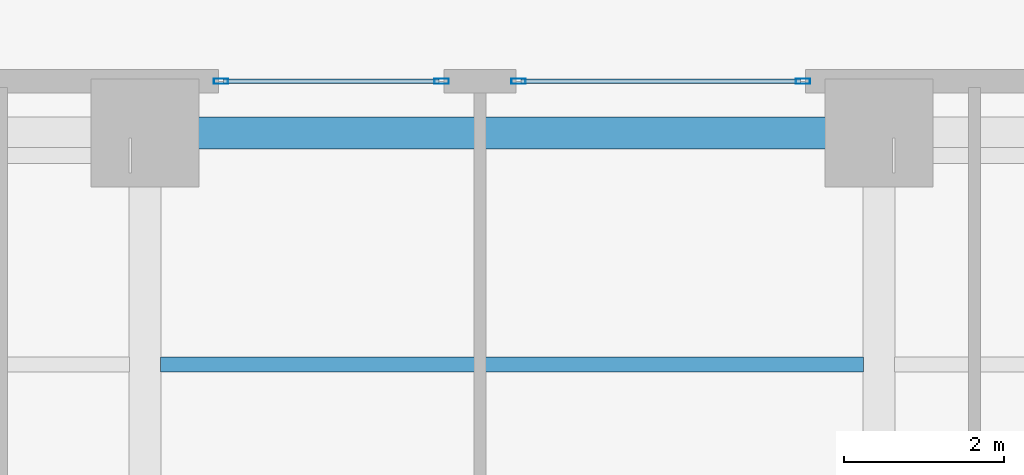
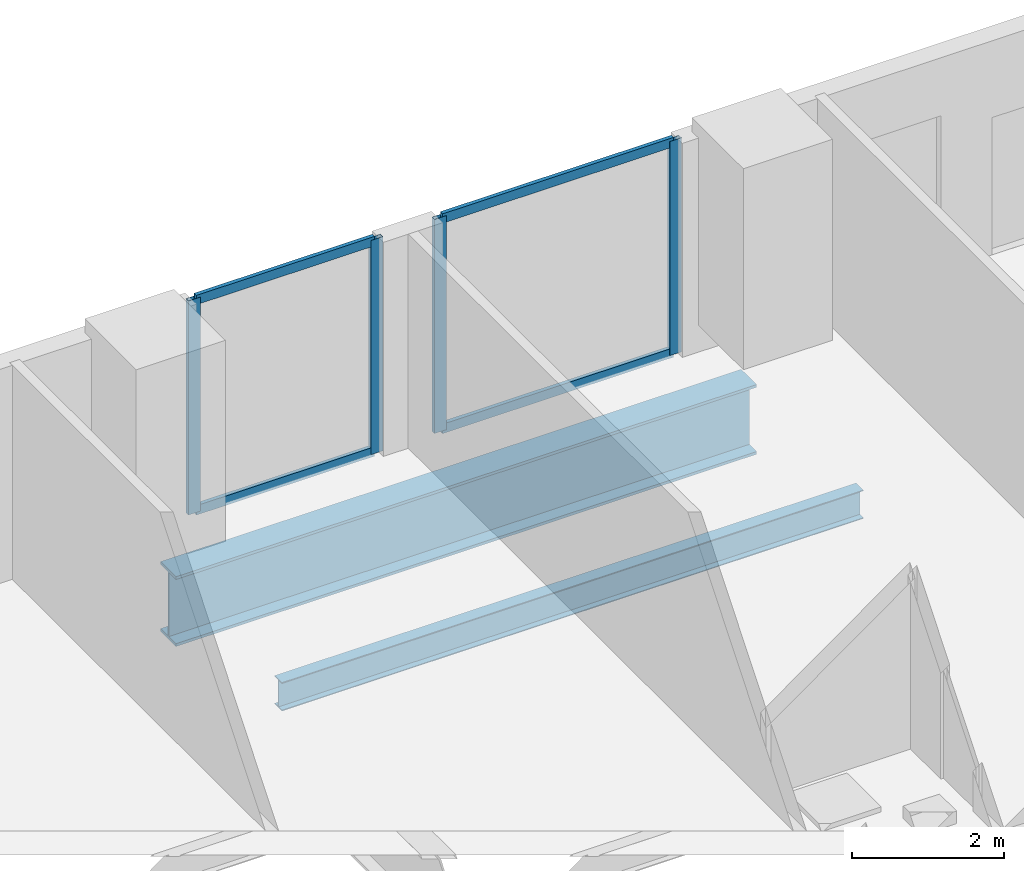
# One storey, part 16 of 29: 8 members, 2 beams, 2 elements without a shape of their own.
"""IFC4 building model written with IfcOpenShell, lengths in metres."""

from ifc_helpers import new_model, si_unit, direction, frame, origin, origin_2d, place, context, subcontext, project, spatial, hollow_rectangle, i_section, extrude, material, layer, layer_set, material_profile, profile_set, type_object, element, aggregate, save


model = new_model("IFC4")

# Units and contexts
model_context = context("Model", 3, precision=1e-05, world=origin(), true_north=direction((0.0, 1.0)))
body_context = subcontext(model_context, "Body", "Model", "MODEL_VIEW")
ifc_project = project(units=[si_unit("LENGTHUNIT", "METRE"), si_unit("AREAUNIT", "SQUARE_METRE"), si_unit("VOLUMEUNIT", "CUBIC_METRE"), si_unit("PLANEANGLEUNIT", "RADIAN"), si_unit("MASSUNIT", "GRAM", prefix="KILO")], contexts=[model_context])

# Site, building, storey
site_placement = place(None, origin())
site = spatial("IfcSite", under=ifc_project, at=site_placement, CompositionType="ELEMENT")
building_placement = place(site_placement, origin())
building = spatial("IfcBuilding", under=site, at=building_placement, Name="Zuhayl Quay Hotel", CompositionType="ELEMENT")
storey_placement = place(building_placement, frame((0.0, 0.0, 95.64990234375)))
storey = spatial("IfcBuildingStorey", under=building, at=storey_placement, Name="L23", CompositionType="ELEMENT", Elevation=95.64990234375)

# Beams
ifc_material_1 = material(Name="Steel ASTM A992 Grade 50", Category="steel")
ifc_material_profile_1 = material_profile(ifc_material_1, i_section(OverallWidth=0.18994140625, OverallDepth=0.45703125, WebThickness=0.009033203125, FlangeThickness=0.014404296875, at=origin_2d()), Name="W18X50")
ifc_profile_set_1 = profile_set([ifc_material_profile_1], Name="Steel ASTM A992 Grade 50")
beam_type_1 = type_object("IfcBeamType", Name="BM_J2_W18X50", PredefinedType="JOIST", material=ifc_profile_set_1)
beam_1_placement = place(storey_placement, frame((-4.406005859375, 24.85009765625, -0.48828125), z_axis=(1.0, 0.0, 0.0), x_axis=(0.0, 1.0, 0.0)))
element("IfcBeam", 1, at=beam_1_placement, inside=storey, type_object=beam_type_1, Name="L23 Floor Beam FJ_L23_4_2", PredefinedType="JOIST", context=body_context, shape_type="SweptSolid", body=[
    extrude(i_section(OverallWidth=0.18994140625, OverallDepth=0.45703125, WebThickness=0.009033203125, FlangeThickness=0.014404296875, at=origin_2d()), origin(), (0.0, 0.0, 1.0), 8.81201171875),
])
ifc_material_2 = material(Name="Steel ASTM A913 Grade 65", Category="steel")
ifc_material_profile_2 = material_profile(ifc_material_2, i_section(OverallWidth=0.404052734375, OverallDepth=1.117919921875, WebThickness=0.026123046875, FlangeThickness=0.044921875, at=origin_2d()), Name="W44X335")
ifc_profile_set_2 = profile_set([ifc_material_profile_2], Name="Steel ASTM A913 Grade 65")
beam_type_2 = type_object("IfcBeamType", Name="BM_TG1_W44X335", PredefinedType="BEAM", material=ifc_profile_set_2)
beam_2_placement = place(storey_placement, frame((4.39990234375, 27.75, -0.81884765625), z_axis=(-1.0, 0.0, 0.0), x_axis=(0.0, -1.0, 0.0)))
element("IfcBeam", 2, at=beam_2_placement, inside=storey, type_object=beam_type_2, Name="L23 Floor Beam RG_L23_08", PredefinedType="BEAM", context=body_context, shape_type="SweptSolid", body=[
    extrude(i_section(OverallWidth=0.404052734375, OverallDepth=1.117919921875, WebThickness=0.026123046875, FlangeThickness=0.044921875, at=origin_2d()), origin(), (0.0, 0.0, 1.0), 8.7998046875),
])

# Curtain wall, members
ifc_material_3 = material(Name="Anodised Aluminium 6063-T6", Category="aluminium")
ifc_layer = layer(ifc_material_3, 0.179931640625, Name="Anodised Aluminium 6063-T6", Category="aluminium")
ifc_layer_set = layer_set([ifc_layer], Name="Anodised Aluminium 6063-T6")
curtain_wall_type = type_object("IfcCurtainWallType", Name="CW_SYS_Z2", PredefinedType="USERDEFINED", material=ifc_layer_set)
curtain_wall_1_placement = place(storey_placement, origin())
curtain_wall_1 = element("IfcCurtainWall", 3, at=curtain_wall_1_placement, inside=storey, type_object=curtain_wall_type, Name="L23 Curtain Wall ENV_L23_N_CW2", ObjectType="UNITISED CURTAIN WALL", PredefinedType="USERDEFINED")
ifc_material_4 = material(Name="Black-anodised aluminium 6063-T6", Category="aluminium")
ifc_material_profile_3 = material_profile(ifc_material_4, hollow_rectangle(XDim=0.06494140625, YDim=0.179931640625, WallThickness=0.00341796875, at=origin_2d()), Name="ALU180X65")
ifc_profile_set_3 = profile_set([ifc_material_profile_3], Name="Black-anodised aluminium 6063-T6")
member_type_1 = type_object("IfcMemberType", Name="MB_CW_MUL_180", PredefinedType="MULLION", material=ifc_profile_set_3)
member_1_placement = place(storey_placement, frame((-3.6474609375, 28.39990234375, 0.0), z_axis=(0.0, 0.0, 1.0), x_axis=(0.0, 1.0, 0.0)))
member_1 = element("IfcMember", 4, at=member_1_placement, type_object=member_type_1, Name="CW-Z2 mullion 1", PredefinedType="MULLION", context=body_context, shape_type="SweptSolid", body=[
    extrude(hollow_rectangle(XDim=0.06494140625, YDim=0.179931640625, WallThickness=0.00341796875, at=origin_2d()), origin(), (0.0, 0.0, 1.0), 3.43017578125),
])
member_2_placement = place(storey_placement, frame((-0.882568359375, 28.39990234375, 0.0), z_axis=(0.0, 0.0, 1.0), x_axis=(0.0, 1.0, 0.0)))
member_2 = element("IfcMember", 5, at=member_2_placement, type_object=member_type_1, Name="CW-Z2 mullion 2", PredefinedType="MULLION", context=body_context, shape_type="SweptSolid", body=[
    extrude(hollow_rectangle(XDim=0.06494140625, YDim=0.179931640625, WallThickness=0.00341796875, at=origin_2d()), origin(), (0.0, 0.0, 1.0), 3.43017578125),
])

curtain_wall_2_placement = place(storey_placement, origin())
curtain_wall_2 = element("IfcCurtainWall", 6, at=curtain_wall_2_placement, inside=storey, type_object=curtain_wall_type, Name="L23 Curtain Wall ENV_L23_N_CW3", ObjectType="UNITISED CURTAIN WALL", PredefinedType="USERDEFINED")
member_3_placement = place(storey_placement, frame((0.08251953125, 28.39990234375, 0.0), z_axis=(0.0, 0.0, 1.0), x_axis=(0.0, 1.0, 0.0)))
member_3 = element("IfcMember", 7, at=member_3_placement, type_object=member_type_1, Name="CW-Z2 mullion 1", PredefinedType="MULLION", context=body_context, shape_type="SweptSolid", body=[
    extrude(hollow_rectangle(XDim=0.06494140625, YDim=0.179931640625, WallThickness=0.00341796875, at=origin_2d()), origin(), (0.0, 0.0, 1.0), 3.43017578125),
])
member_4_placement = place(storey_placement, frame((3.6474609375, 28.39990234375, 0.0), z_axis=(0.0, 0.0, 1.0), x_axis=(0.0, 1.0, 0.0)))
member_4 = element("IfcMember", 8, at=member_4_placement, type_object=member_type_1, Name="CW-Z2 mullion 2", PredefinedType="MULLION", context=body_context, shape_type="SweptSolid", body=[
    extrude(hollow_rectangle(XDim=0.06494140625, YDim=0.179931640625, WallThickness=0.00341796875, at=origin_2d()), origin(), (0.0, 0.0, 1.0), 3.43017578125),
])

# Member
ifc_material_profile_4 = material_profile(ifc_material_4, hollow_rectangle(XDim=0.06005859375, YDim=0.14990234375, WallThickness=0.00341796875, at=origin_2d()), Name="ALU150X60")
ifc_profile_set_4 = profile_set([ifc_material_profile_4], Name="Black-anodised aluminium 6063-T6")
member_type_2 = type_object("IfcMemberType", Name="MB_CW_TRN_150", PredefinedType="USERDEFINED", material=ifc_profile_set_4)
member_5_placement = place(storey_placement, frame((-3.614990234375, 28.39990234375, 0.030029296875), z_axis=(1.0, 0.0, 0.0), x_axis=(0.0, 1.0, 0.0)))
member_5 = element("IfcMember", 9, at=member_5_placement, type_object=member_type_2, Name="CW-Z2 transom 1.1", ObjectType="TRANSOM", PredefinedType="USERDEFINED", context=body_context, shape_type="SweptSolid", body=[
    extrude(hollow_rectangle(XDim=0.06005859375, YDim=0.14990234375, WallThickness=0.00341796875, at=origin_2d()), origin(), (0.0, 0.0, 1.0), 2.699951171875),
])

member_6_placement = place(storey_placement, frame((-3.614990234375, 28.39990234375, 3.400146484375), z_axis=(1.0, 0.0, 0.0), x_axis=(0.0, 1.0, 0.0)))
member_6 = element("IfcMember", 10, at=member_6_placement, type_object=member_type_2, Name="CW-Z2 transom 1.2", ObjectType="TRANSOM", PredefinedType="USERDEFINED", context=body_context, shape_type="SweptSolid", body=[
    extrude(hollow_rectangle(XDim=0.06005859375, YDim=0.14990234375, WallThickness=0.00341796875, at=origin_2d()), origin(), (0.0, 0.0, 1.0), 2.699951171875),
])

aggregate(curtain_wall_1, [member_1, member_2, member_5, member_6])

member_7_placement = place(storey_placement, frame((0.114990234375, 28.39990234375, 0.030029296875), z_axis=(1.0, 0.0, 0.0), x_axis=(0.0, 1.0, 0.0)))
member_7 = element("IfcMember", 11, at=member_7_placement, type_object=member_type_2, Name="CW-Z2 transom 1.1", ObjectType="TRANSOM", PredefinedType="USERDEFINED", context=body_context, shape_type="SweptSolid", body=[
    extrude(hollow_rectangle(XDim=0.06005859375, YDim=0.14990234375, WallThickness=0.00341796875, at=origin_2d()), origin(), (0.0, 0.0, 1.0), 3.5),
])

member_8_placement = place(storey_placement, frame((0.114990234375, 28.39990234375, 3.400146484375), z_axis=(1.0, 0.0, 0.0), x_axis=(0.0, 1.0, 0.0)))
member_8 = element("IfcMember", 12, at=member_8_placement, type_object=member_type_2, Name="CW-Z2 transom 1.2", ObjectType="TRANSOM", PredefinedType="USERDEFINED", context=body_context, shape_type="SweptSolid", body=[
    extrude(hollow_rectangle(XDim=0.06005859375, YDim=0.14990234375, WallThickness=0.00341796875, at=origin_2d()), origin(), (0.0, 0.0, 1.0), 3.5),
])

aggregate(curtain_wall_2, [member_3, member_4, member_7, member_8])

save(model, "model.ifc")
